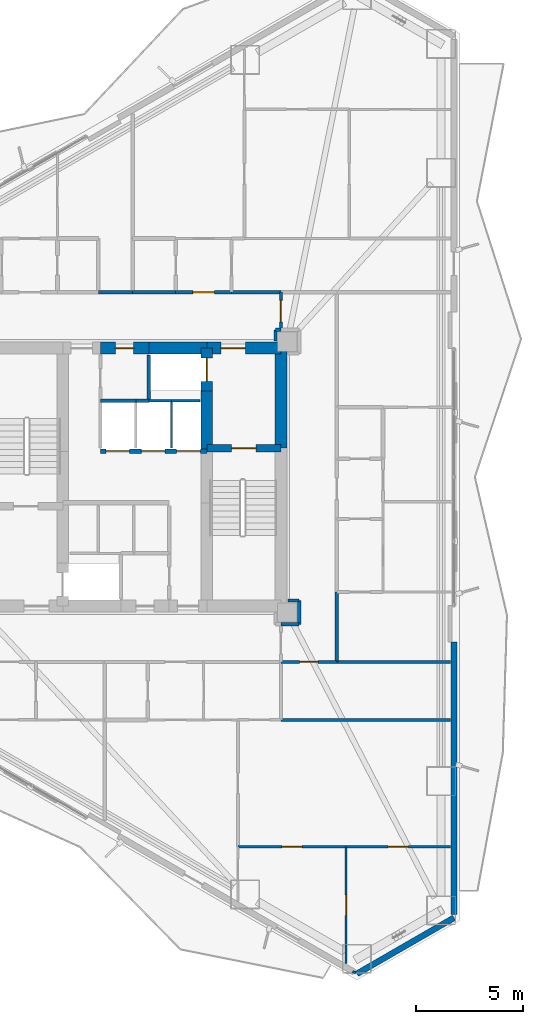
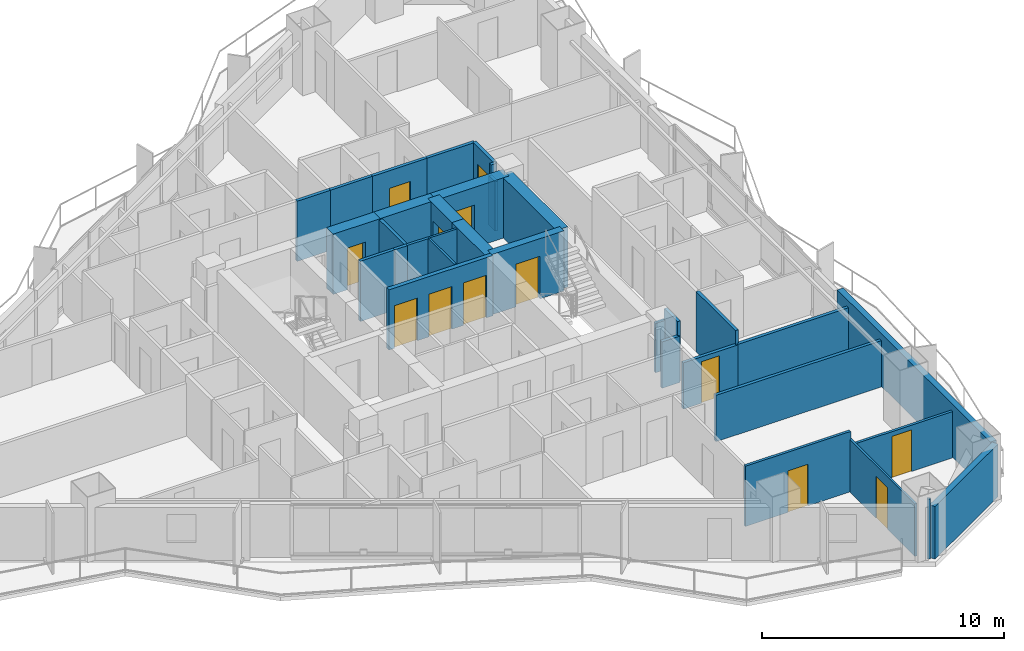
# One storey, part 14 of 18: 34 walls, 13 doors, 13 openings.
"""IFC4 building model written with IfcOpenShell, lengths in metres."""

from ifc_helpers import new_model, si_unit, direction, frame, frame_2d, origin, place, context, subcontext, project, spatial, rectangle, extrude, material, layer, layer_set, type_object, element, fill, save


model = new_model("IFC4")

# Units and contexts
model_context = context("Model", 3, precision=1e-05, world=origin(), true_north=direction((0.0, 1.0)))
body_context = subcontext(model_context, "Body", "Model", "MODEL_VIEW")
ifc_project = project(units=[si_unit("LENGTHUNIT", "METRE"), si_unit("AREAUNIT", "SQUARE_METRE"), si_unit("VOLUMEUNIT", "CUBIC_METRE"), si_unit("PLANEANGLEUNIT", "RADIAN"), si_unit("MASSUNIT", "GRAM", prefix="KILO")], contexts=[model_context])

# Site, building, storey
site_placement = place(None, origin())
site = spatial("IfcSite", under=ifc_project, at=site_placement, CompositionType="ELEMENT")
building_placement = place(site_placement, origin())
building = spatial("IfcBuilding", under=site, at=building_placement, Name="Mersakhor Tower and Convention Hall", CompositionType="ELEMENT")
storey_placement = place(building_placement, frame((0.0, 0.0, 35.699951171875)))
storey = spatial("IfcBuildingStorey", under=building, at=storey_placement, Name="L09", CompositionType="ELEMENT", Elevation=35.699951171875)

# Walls
ifc_material_1 = material(Name="Precast concrete C45/55", Category="concrete")
ifc_layer_1 = layer(ifc_material_1, 0.27490234375)
ifc_layer_set_1 = layer_set([ifc_layer_1], Name="Precast concrete C45/55")
wall_type_1 = type_object("IfcWallType", Name="WL-EXT-275", PredefinedType="SOLIDWALL", material=ifc_layer_set_1)
wall_1_placement = place(storey_placement, frame((43.85009765625, 6.240234375, 0.0), z_axis=(0.0, 0.0, 1.0), x_axis=(-0.866043601342, -0.499968479581, 0.0)))
element("IfcWall", 1, at=wall_1_placement, inside=storey, type_object=wall_type_1, Name="L09 Chamfer Braced Spandrel Wall C2", PredefinedType="SOLIDWALL", context=body_context, shape_type="SweptSolid", body=[
    extrude(rectangle(XDim=5.211181640625, YDim=0.27490234375, at=frame_2d((2.60546875, 0.0))), origin(), (0.0, 0.0, 1.0), 2.66015625),
])
wall_2_placement = place(storey_placement, frame((43.85009765625, 19.0634765625, 0.0), z_axis=(0.0, 0.0, 1.0), x_axis=(0.0, -1.0, 0.0)))
element("IfcWall", 2, at=wall_2_placement, inside=storey, type_object=wall_type_1, Name="L09 Exterior Facade Wall F2-B3", PredefinedType="SOLIDWALL", context=body_context, shape_type="SweptSolid", body=[
    extrude(rectangle(XDim=12.673095703125, YDim=0.27490234375, at=frame_2d((6.33642578125, 0.0))), origin(), (0.0, 0.0, 1.0), 2.66015625),
])
ifc_material_2 = material(Name="Lightweight gypsum partition", Category="other")
ifc_layer_2 = layer(ifc_material_2, 0.10009765625)
ifc_layer_set_2 = layer_set([ifc_layer_2], Name="Lightweight gypsum partition")
wall_type_2 = type_object("IfcWallType", Name="WL-PRT-100", PredefinedType="PARTITIONING", material=ifc_layer_set_2)
wall_3_placement = place(storey_placement, frame((32.02490234375, 30.300048828125, 0.0), z_axis=(0.0, 0.0, 1.0), x_axis=(-1.0, 0.0, 0.0)))
element("IfcWall", 3, at=wall_3_placement, inside=storey, type_object=wall_type_2, Name="L09 Interior Partition Wall P-004", PredefinedType="PARTITIONING", context=body_context, shape_type="SweptSolid", body=[
    extrude(rectangle(XDim=1.324951171875, YDim=0.10009765625, at=frame_2d((0.66259765625, 0.0))), origin(), (0.0, 0.0, 1.0), 3.0400390625),
])
wall_4_placement = place(storey_placement, frame((30.699951171875, 30.300048828125, 0.0), z_axis=(0.0, 0.0, 1.0), x_axis=(0.0, -1.0, 0.0)))
element("IfcWall", 4, at=wall_4_placement, inside=storey, type_object=wall_type_2, Name="L09 Interior Partition Wall P-016", PredefinedType="PARTITIONING", context=body_context, shape_type="SweptSolid", body=[
    extrude(rectangle(XDim=2.199951171875, YDim=0.10009765625, at=frame_2d((1.10009765625, 0.0))), origin(), (0.0, 0.0, 1.0), 3.0400390625),
])

# Wall, opening, door
wall_5_placement = place(storey_placement, frame((38.830078125, 9.5400390625, 0.0), z_axis=(0.0, 0.0, 1.0), x_axis=(0.0, -1.0, 0.0)))
wall_5 = element("IfcWall", 5, at=wall_5_placement, inside=storey, type_object=wall_type_2, Name="L09 Interior Partition Wall P-136", PredefinedType="PARTITIONING", context=body_context, shape_type="SweptSolid", body=[
    extrude(rectangle(XDim=5.42626953125, YDim=0.10009765625, at=frame_2d((2.713134765625, 0.0))), origin(), (0.0, 0.0, 1.0), 2.650390625),
])
opening_1_placement = place(wall_5_placement, frame((2.238037109375, 0.0, 0.0)))
opening_1 = element("IfcOpeningElement", 6, at=opening_1_placement, cuts=wall_5, Name="Opening RD-01", PredefinedType="OPENING", context=body_context, shape_type="SweptSolid", body=[
    extrude(rectangle(XDim=0.949951171875, YDim=2.10009765625, at=frame_2d((0.47509765625, 1.050048828125))), frame((0.0, 0.06005859375, 0.0), z_axis=(0.0, -1.0, 0.0), x_axis=(1.0, 0.0, 0.0)), (0.0, 0.0, 1.0), 0.1201171875),
])
ifc_material_3 = material(Name="Solid-core hardwood leaf in painted steel frame", Category="steel")
door_type_1 = type_object("IfcDoorType", Name="DR-INT-RM-095x210", OperationType="NOTDEFINED", PredefinedType="DOOR", material=ifc_material_3)
door_1_placement = place(opening_1_placement, origin())
door_1 = element("IfcDoor", 7, at=door_1_placement, inside=storey, type_object=door_type_1, Name="L09 L09 Flat S4 Bedroom 1 to L09 Flat S4 Study Room Door", OperationType="SINGLE_SWING_LEFT", OverallHeight=2.10009765625, OverallWidth=0.949951171875, PredefinedType="DOOR", context=body_context, shape_type="SweptSolid", body=[
    extrude(rectangle(XDim=0.949951171875, YDim=2.10009765625, at=frame_2d((0.47509765625, 1.050048828125))), frame((0.0, 0.02490234375, 0.0), z_axis=(0.0, -1.0, 0.0), x_axis=(1.0, 0.0, 0.0)), (0.0, 0.0, 1.0), 0.050048828125),
])
fill(opening_1, door_1)

# Walls
wall_6_placement = place(storey_placement, frame((39.2724609375, 3.672119140625, 0.0), z_axis=(0.0, 0.0, 1.0), x_axis=(-0.866442544969, 0.49927679324, 0.0)))
element("IfcWall", 8, at=wall_6_placement, inside=storey, type_object=wall_type_2, Name="L09 Interior Partition Wall P-138", PredefinedType="PARTITIONING", context=body_context, shape_type="SweptSolid", body=[
    extrude(rectangle(XDim=0.142333984375, YDim=0.10009765625, at=frame_2d((0.0712890625, 0.0))), origin(), (0.0, 0.0, 1.0), 3.0400390625),
])
ifc_material_4 = material(Name="Gypsum board acoustic partition", Category="other")
ifc_layer_3 = layer(ifc_material_4, 0.125)
ifc_layer_set_3 = layer_set([ifc_layer_3], Name="Gypsum board acoustic partition")
wall_type_3 = type_object("IfcWallType", Name="WL-PRT-125", PredefinedType="PARTITIONING", material=ifc_layer_set_3)
wall_7_placement = place(storey_placement, frame((30.699951171875, 30.300048828125, 0.0), z_axis=(0.0, 0.0, 1.0), x_axis=(-1.0, 0.0, 0.0)))
element("IfcWall", 9, at=wall_7_placement, inside=storey, type_object=wall_type_3, Name="L09 Interior Partition Wall P-005", PredefinedType="PARTITIONING", context=body_context, shape_type="SweptSolid", body=[
    extrude(rectangle(XDim=1.050048828125, YDim=0.125, at=frame_2d((0.52490234375, 0.0))), origin(), (0.0, 0.0, 1.0), 3.0400390625),
])

# Wall, opening, door
wall_8_placement = place(storey_placement, frame((33.800048828125, 9.5400390625, 0.0), z_axis=(0.0, 0.0, 1.0), x_axis=(1.0, 0.0, 0.0)))
wall_8 = element("IfcWall", 10, at=wall_8_placement, inside=storey, type_object=wall_type_3, Name="L09 Interior Partition Wall P-135", PredefinedType="PARTITIONING", context=body_context, shape_type="SweptSolid", body=[
    extrude(rectangle(XDim=5.030029296875, YDim=0.125, at=frame_2d((2.51513671875, 0.0))), origin(), (0.0, 0.0, 1.0), 3.0400390625),
])
opening_2_placement = place(wall_8_placement, frame((2.0400390625, 0.0, 0.0)))
opening_2 = element("IfcOpeningElement", 11, at=opening_2_placement, cuts=wall_8, Name="Opening RD-01", PredefinedType="OPENING", context=body_context, shape_type="SweptSolid", body=[
    extrude(rectangle(XDim=0.949951171875, YDim=2.10009765625, at=frame_2d((0.47509765625, 1.050048828125))), frame((0.0, 0.072509765625, 0.0), z_axis=(0.0, -1.0, 0.0), x_axis=(1.0, 0.0, 0.0)), (0.0, 0.0, 1.0), 0.14501953125),
])
door_2_placement = place(opening_2_placement, origin())
door_2 = element("IfcDoor", 12, at=door_2_placement, inside=storey, type_object=door_type_1, Name="L09 L09 Flat S4 Bedroom 1 to L09 Flat S4 Dining Room Door", OperationType="SINGLE_SWING_RIGHT", OverallHeight=2.10009765625, OverallWidth=0.949951171875, PredefinedType="DOOR", context=body_context, shape_type="SweptSolid", body=[
    extrude(rectangle(XDim=0.949951171875, YDim=2.10009765625, at=frame_2d((0.47509765625, 1.050048828125))), frame((0.0, 0.02490234375, 0.0), z_axis=(0.0, -1.0, 0.0), x_axis=(1.0, 0.0, 0.0)), (0.0, 0.0, 1.0), 0.050048828125),
])
fill(opening_2, door_2)

wall_9_placement = place(storey_placement, frame((38.830078125, 9.5400390625, 0.0), z_axis=(0.0, 0.0, 1.0), x_axis=(1.0, 0.0, 0.0)))
wall_9 = element("IfcWall", 13, at=wall_9_placement, inside=storey, type_object=wall_type_3, Name="L09 Interior Partition Wall P-137", PredefinedType="PARTITIONING", context=body_context, shape_type="SweptSolid", body=[
    extrude(rectangle(XDim=4.8583984375, YDim=0.125, at=frame_2d((2.42919921875, 0.0))), origin(), (0.0, 0.0, 1.0), 2.337646484375),
])
opening_3_placement = place(wall_9_placement, frame((1.9541015625, 0.0, 0.0)))
opening_3 = element("IfcOpeningElement", 14, at=opening_3_placement, cuts=wall_9, Name="Opening RD-01", PredefinedType="OPENING", context=body_context, shape_type="SweptSolid", body=[
    extrude(rectangle(XDim=0.949951171875, YDim=2.10009765625, at=frame_2d((0.47509765625, 1.050048828125))), frame((0.0, 0.072509765625, 0.0), z_axis=(0.0, -1.0, 0.0), x_axis=(1.0, 0.0, 0.0)), (0.0, 0.0, 1.0), 0.14501953125),
])
door_3_placement = place(opening_3_placement, origin())
door_3 = element("IfcDoor", 15, at=door_3_placement, inside=storey, type_object=door_type_1, Name="L09 L09 Flat S4 Study Room to L09 Flat S4 Dining Room Door", OperationType="SINGLE_SWING_LEFT", OverallHeight=2.10009765625, OverallWidth=0.949951171875, PredefinedType="DOOR", context=body_context, shape_type="SweptSolid", body=[
    extrude(rectangle(XDim=0.949951171875, YDim=2.10009765625, at=frame_2d((0.47509765625, 1.050048828125))), frame((0.0, 0.02490234375, 0.0), z_axis=(0.0, -1.0, 0.0), x_axis=(1.0, 0.0, 0.0)), (0.0, 0.0, 1.0), 0.050048828125),
])
fill(opening_3, door_3)

# Walls
ifc_material_5 = material(Name="Fire-rated gypsum board stud partition", Category="other")
ifc_layer_4 = layer(ifc_material_5, 0.14990234375)
ifc_layer_set_4 = layer_set([ifc_layer_4], Name="Fire-rated gypsum board stud partition")
wall_type_4 = type_object("IfcWallType", Name="WL-PRT-150", PredefinedType="PARTITIONING", material=ifc_layer_set_4)
wall_10_placement = place(storey_placement, frame((29.64990234375, 30.300048828125, 0.0), z_axis=(0.0, 0.0, 1.0), x_axis=(0.0, 1.0, 0.0)))
element("IfcWall", 16, at=wall_10_placement, inside=storey, type_object=wall_type_4, Name="L09 Interior Partition Wall P-006", PredefinedType="PARTITIONING", context=body_context, shape_type="SweptSolid", body=[
    extrude(rectangle(XDim=2.125, YDim=0.14990234375, at=frame_2d((1.0625, 0.0))), origin(), (0.0, 0.0, 1.0), 3.0400390625),
])
wall_11_placement = place(storey_placement, frame((27.39990234375, 30.300048828125, 0.0), z_axis=(0.0, 0.0, 1.0), x_axis=(1.0, 0.0, 0.0)))
element("IfcWall", 17, at=wall_11_placement, inside=storey, type_object=wall_type_4, Name="L09 Interior Partition Wall P-012", PredefinedType="PARTITIONING", context=body_context, shape_type="SweptSolid", body=[
    extrude(rectangle(XDim=1.650146484375, YDim=0.14990234375, at=frame_2d((0.8251953125, 0.0))), origin(), (0.0, 0.0, 1.0), 3.0400390625),
])
wall_12_placement = place(storey_placement, frame((29.050048828125, 30.300048828125, 0.0), z_axis=(0.0, 0.0, 1.0), x_axis=(1.0, 0.0, 0.0)))
element("IfcWall", 18, at=wall_12_placement, inside=storey, type_object=wall_type_4, Name="L09 Interior Partition Wall P-015", PredefinedType="PARTITIONING", context=body_context, shape_type="SweptSolid", body=[
    extrude(rectangle(XDim=0.599853515625, YDim=0.14990234375, at=frame_2d((0.2998046875, 0.0))), origin(), (0.0, 0.0, 1.0), 3.0400390625),
])
wall_13_placement = place(storey_placement, frame((27.300048828125, 35.35009765625, 0.0), z_axis=(0.0, 0.0, 1.0), x_axis=(1.0, 0.0, 0.0)))
element("IfcWall", 19, at=wall_13_placement, inside=storey, type_object=wall_type_4, Name="L09 Interior Partition Wall P-041", PredefinedType="PARTITIONING", context=body_context, shape_type="SweptSolid", body=[
    extrude(rectangle(XDim=1.599853515625, YDim=0.14990234375, at=frame_2d((0.7998046875, 0.0))), origin(), (0.0, 0.0, 1.0), 3.0400390625),
])
wall_14_placement = place(storey_placement, frame((28.89990234375, 35.35009765625, 0.0), z_axis=(0.0, 0.0, 1.0), x_axis=(1.0, 0.0, 0.0)))
element("IfcWall", 20, at=wall_14_placement, inside=storey, type_object=wall_type_4, Name="L09 Interior Partition Wall P-042", PredefinedType="PARTITIONING", context=body_context, shape_type="SweptSolid", body=[
    extrude(rectangle(XDim=2.0, YDim=0.14990234375, at=frame_2d((1.0, 0.0))), origin(), (0.0, 0.0, 1.0), 3.0400390625),
])

# Wall, opening, door
wall_15_placement = place(storey_placement, frame((30.89990234375, 35.35009765625, 0.0), z_axis=(0.0, 0.0, 1.0), x_axis=(1.0, 0.0, 0.0)))
wall_15 = element("IfcWall", 21, at=wall_15_placement, inside=storey, type_object=wall_type_4, Name="L09 Interior Partition Wall P-043", PredefinedType="PARTITIONING", context=body_context, shape_type="SweptSolid", body=[
    extrude(rectangle(XDim=2.60009765625, YDim=0.14990234375, at=frame_2d((1.300048828125, 0.0))), origin(), (0.0, 0.0, 1.0), 3.0400390625),
])
opening_4_placement = place(wall_15_placement, frame((0.800048828125, 0.0, 0.0)))
opening_4 = element("IfcOpeningElement", 22, at=opening_4_placement, cuts=wall_15, Name="Opening FD-01", PredefinedType="OPENING", context=body_context, shape_type="SweptSolid", body=[
    extrude(rectangle(XDim=1.0, YDim=2.14990234375, at=frame_2d((0.5, 1.074951171875))), frame((0.0, 0.0849609375, 0.0), z_axis=(0.0, -1.0, 0.0), x_axis=(1.0, 0.0, 0.0)), (0.0, 0.0, 1.0), 0.169921875),
])
ifc_material_6 = material(Name="Fire-rated hardwood leaf and painted steel frame", Category="steel")
door_type_2 = type_object("IfcDoorType", Name="DR-INT-FLT-100x215", OperationType="NOTDEFINED", PredefinedType="DOOR", material=ifc_material_6)
door_4_placement = place(opening_4_placement, origin())
door_4 = element("IfcDoor", 23, at=door_4_placement, inside=storey, type_object=door_type_2, Name="L09 Apartment Entrance Door (Residential Ring Corridor to L09 Flat N2 Apartment Hall)", OperationType="SINGLE_SWING_LEFT", OverallHeight=2.14990234375, OverallWidth=1.0, PredefinedType="DOOR", context=body_context, shape_type="SweptSolid", body=[
    extrude(rectangle(XDim=1.0, YDim=2.14990234375, at=frame_2d((0.5, 1.074951171875))), frame((0.0, 0.02490234375, 0.0), z_axis=(0.0, -1.0, 0.0), x_axis=(1.0, 0.0, 0.0)), (0.0, 0.0, 1.0), 0.050048828125),
])
fill(opening_4, door_4)

# Wall
wall_16_placement = place(storey_placement, frame((33.5, 35.35009765625, 0.0), z_axis=(0.0, 0.0, 1.0), x_axis=(1.0, 0.0, 0.0)))
element("IfcWall", 24, at=wall_16_placement, inside=storey, type_object=wall_type_4, Name="L09 Interior Partition Wall P-044", PredefinedType="PARTITIONING", context=body_context, shape_type="SweptSolid", body=[
    extrude(rectangle(XDim=2.300048828125, YDim=0.14990234375, at=frame_2d((1.14990234375, 0.0))), origin(), (0.0, 0.0, 1.0), 3.0400390625),
])

# Wall, opening, door
wall_17_placement = place(storey_placement, frame((35.800048828125, 35.35009765625, 0.0), z_axis=(0.0, 0.0, 1.0), x_axis=(0.0, -1.0, 0.0)))
wall_17 = element("IfcWall", 25, at=wall_17_placement, inside=storey, type_object=wall_type_4, Name="L09 Interior Partition Wall P-045", PredefinedType="PARTITIONING", context=body_context, shape_type="SweptSolid", body=[
    extrude(rectangle(XDim=1.75, YDim=0.14990234375, at=frame_2d((0.875, 0.0))), origin(), (0.0, 0.0, 1.0), 3.0400390625),
])
opening_5_placement = place(wall_17_placement, frame((0.375, 0.0, 0.0)))
opening_5 = element("IfcOpeningElement", 26, at=opening_5_placement, cuts=wall_17, Name="Opening FD-01", PredefinedType="OPENING", context=body_context, shape_type="SweptSolid", body=[
    extrude(rectangle(XDim=1.0, YDim=2.14990234375, at=frame_2d((0.5, 1.074951171875))), frame((0.0, 0.0849609375, 0.0), z_axis=(0.0, -1.0, 0.0), x_axis=(1.0, 0.0, 0.0)), (0.0, 0.0, 1.0), 0.169921875),
])
door_5_placement = place(opening_5_placement, origin())
door_5 = element("IfcDoor", 27, at=door_5_placement, inside=storey, type_object=door_type_2, Name="L09 Ring Corridor Fire Door", OperationType="SINGLE_SWING_LEFT", OverallHeight=2.14990234375, OverallWidth=1.0, PredefinedType="DOOR", context=body_context, shape_type="SweptSolid", body=[
    extrude(rectangle(XDim=1.0, YDim=2.14990234375, at=frame_2d((0.5, 1.074951171875))), frame((0.0, 0.02490234375, 0.0), z_axis=(0.0, -1.0, 0.0), x_axis=(1.0, 0.0, 0.0)), (0.0, 0.0, 1.0), 0.050048828125),
])
fill(opening_5, door_5)

# Walls
wall_18_placement = place(storey_placement, frame((35.800048828125, 33.60009765625, 0.0), z_axis=(0.0, 0.0, 1.0), x_axis=(-1.0, 0.0, 0.0)))
element("IfcWall", 28, at=wall_18_placement, inside=storey, type_object=wall_type_4, Name="L09 Interior Partition Wall P-046", PredefinedType="PARTITIONING", context=body_context, shape_type="SweptSolid", body=[
    extrude(rectangle(XDim=0.25, YDim=0.14990234375, at=frame_2d((0.125, 0.0))), origin(), (0.0, 0.0, 1.0), 3.0400390625),
])
wall_19_placement = place(storey_placement, frame((35.550048828125, 33.60009765625, 0.0), z_axis=(0.0, 0.0, 1.0), x_axis=(0.0, -1.0, 0.0)))
element("IfcWall", 29, at=wall_19_placement, inside=storey, type_object=wall_type_4, Name="L09 Interior Partition Wall P-047", PredefinedType="PARTITIONING", context=body_context, shape_type="SweptSolid", body=[
    extrude(rectangle(XDim=0.525146484375, YDim=0.14990234375, at=frame_2d((0.2626953125, 0.0))), origin(), (0.0, 0.0, 1.0), 2.48828125),
])
wall_20_placement = place(storey_placement, frame((36.64990234375, 21.0, 0.0), z_axis=(0.0, 0.0, 1.0), x_axis=(-1.0, 0.0, 0.0)))
element("IfcWall", 30, at=wall_20_placement, inside=storey, type_object=wall_type_4, Name="L09 Interior Partition Wall P-054", PredefinedType="PARTITIONING", context=body_context, shape_type="SweptSolid", body=[
    extrude(rectangle(XDim=0.52490234375, YDim=0.14990234375, at=frame_2d((0.262451171875, 0.0))), origin(), (0.0, 0.0, 1.0), 2.48828125),
])
wall_21_placement = place(storey_placement, frame((38.39990234375, 21.39990234375, 0.0), z_axis=(0.0, 0.0, 1.0), x_axis=(0.0, -1.0, 0.0)))
element("IfcWall", 31, at=wall_21_placement, inside=storey, type_object=wall_type_4, Name="L09 Interior Partition Wall P-063", PredefinedType="PARTITIONING", context=body_context, shape_type="SweptSolid", body=[
    extrude(rectangle(XDim=3.25, YDim=0.14990234375, at=frame_2d((1.625, 0.0))), origin(), (0.0, 0.0, 1.0), 3.0400390625),
])

# Wall, opening, door
wall_22_placement = place(storey_placement, frame((38.39990234375, 18.14990234375, 0.0), z_axis=(0.0, 0.0, 1.0), x_axis=(-1.0, 0.0, 0.0)))
wall_22 = element("IfcWall", 32, at=wall_22_placement, inside=storey, type_object=wall_type_4, Name="L09 Interior Partition Wall P-064", PredefinedType="PARTITIONING", context=body_context, shape_type="SweptSolid", body=[
    extrude(rectangle(XDim=2.599853515625, YDim=0.14990234375, at=frame_2d((1.2998046875, 0.0))), origin(), (0.0, 0.0, 1.0), 2.337646484375),
])
opening_6_placement = place(wall_22_placement, frame((0.875, 0.0, 0.0)))
opening_6 = element("IfcOpeningElement", 33, at=opening_6_placement, cuts=wall_22, Name="Opening SVD-01", PredefinedType="OPENING", context=body_context, shape_type="SweptSolid", body=[
    extrude(rectangle(XDim=0.85009765625, YDim=2.10009765625, at=frame_2d((0.425048828125, 1.050048828125))), frame((0.0, 0.0849609375, 0.0), z_axis=(0.0, -1.0, 0.0), x_axis=(1.0, 0.0, 0.0)), (0.0, 0.0, 1.0), 0.169921875),
])
ifc_material_7 = material(Name="Fire-rated hardwood leaf and painted steel frame", Category="steel")
door_type_3 = type_object("IfcDoorType", Name="DR-INT-SVC-085x210", OperationType="NOTDEFINED", PredefinedType="DOOR", material=ifc_material_7)
door_6_placement = place(opening_6_placement, origin())
door_6 = element("IfcDoor", 34, at=door_6_placement, inside=storey, type_object=door_type_3, Name="L09 Residential Ring East Corridor to L09 South Wing Household Store Room Door", OperationType="SINGLE_SWING_LEFT", OverallHeight=2.10009765625, OverallWidth=0.85009765625, PredefinedType="DOOR", context=body_context, shape_type="SweptSolid", body=[
    extrude(rectangle(XDim=0.85009765625, YDim=2.10009765625, at=frame_2d((0.425048828125, 1.050048828125))), frame((0.0, 0.02490234375, 0.0), z_axis=(0.0, -1.0, 0.0), x_axis=(1.0, 0.0, 0.0)), (0.0, 0.0, 1.0), 0.050048828125),
])
fill(opening_6, door_6)

# Walls
wall_23_placement = place(storey_placement, frame((35.800048828125, 19.89990234375, 0.0), z_axis=(0.0, 0.0, 1.0), x_axis=(1.0, 0.0, 0.0)))
element("IfcWall", 35, at=wall_23_placement, inside=storey, type_object=wall_type_4, Name="L09 Interior Partition Wall P-065", PredefinedType="PARTITIONING", context=body_context, shape_type="SweptSolid", body=[
    extrude(rectangle(XDim=0.849853515625, YDim=0.14990234375, at=frame_2d((0.4248046875, 0.0))), origin(), (0.0, 0.0, 1.0), 2.337646484375),
])
wall_24_placement = place(storey_placement, frame((36.64990234375, 19.89990234375, 0.0), z_axis=(0.0, 0.0, 1.0), x_axis=(0.0, 1.0, 0.0)))
element("IfcWall", 36, at=wall_24_placement, inside=storey, type_object=wall_type_4, Name="L09 Interior Partition Wall P-066", PredefinedType="PARTITIONING", context=body_context, shape_type="SweptSolid", body=[
    extrude(rectangle(XDim=1.10009765625, YDim=0.14990234375, at=frame_2d((0.550048828125, 0.0))), origin(), (0.0, 0.0, 1.0), 3.0400390625),
])
wall_25_placement = place(storey_placement, frame((43.6884765625, 18.14990234375, 0.0), z_axis=(0.0, 0.0, 1.0), x_axis=(-1.0, 0.0, 0.0)))
element("IfcWall", 37, at=wall_25_placement, inside=storey, type_object=wall_type_4, Name="L09 Interior Partition Wall P-121", PredefinedType="PARTITIONING", context=body_context, shape_type="SweptSolid", body=[
    extrude(rectangle(XDim=5.28857421875, YDim=0.14990234375, at=frame_2d((2.644287109375, 0.0))), origin(), (0.0, 0.0, 1.0), 2.364990234375),
])
wall_26_placement = place(storey_placement, frame((43.6884765625, 15.449951171875, 0.0), z_axis=(0.0, 0.0, 1.0), x_axis=(-1.0, 0.0, 0.0)))
element("IfcWall", 38, at=wall_26_placement, inside=storey, type_object=wall_type_4, Name="L09 Interior Partition Wall P-122", PredefinedType="PARTITIONING", context=body_context, shape_type="SweptSolid", body=[
    extrude(rectangle(XDim=7.888427734375, YDim=0.14990234375, at=frame_2d((3.9443359375, 0.0))), origin(), (0.0, 0.0, 1.0), 2.337646484375),
])

# Wall, openings, doors
ifc_material_8 = material(Name="Acoustic concrete blockwork and gypsum board", Category="masonry")
ifc_layer_5 = layer(ifc_material_8, 0.199951171875)
ifc_layer_set_5 = layer_set([ifc_layer_5], Name="Acoustic concrete blockwork and gypsum board")
wall_type_5 = type_object("IfcWallType", Name="WL-PRT-200", PredefinedType="PARTITIONING", material=ifc_layer_set_5)
wall_27_placement = place(storey_placement, frame((27.39990234375, 27.949951171875, 0.0), z_axis=(0.0, 0.0, 1.0), x_axis=(1.0, 0.0, 0.0)))
wall_27 = element("IfcWall", 39, at=wall_27_placement, inside=storey, type_object=wall_type_5, Name="L09 Low-Rise Lift Bank Front Wall", PredefinedType="PARTITIONING", context=body_context, shape_type="SweptSolid", body=[
    extrude(rectangle(XDim=4.9501953125, YDim=0.199951171875, at=frame_2d((2.47509765625, 0.0))), origin(), (0.0, 0.0, 1.0), 3.0400390625),
])
opening_7_placement = place(wall_27_placement, frame((0.25, 0.0, 0.0)))
opening_7 = element("IfcOpeningElement", 40, at=opening_7_placement, cuts=wall_27, Name="Opening LD-P1", PredefinedType="OPENING", context=body_context, shape_type="SweptSolid", body=[
    extrude(rectangle(XDim=1.10009765625, YDim=2.14990234375, at=frame_2d((0.550048828125, 1.074951171875))), frame((0.0, 0.10986328125, 0.0), z_axis=(0.0, -1.0, 0.0), x_axis=(1.0, 0.0, 0.0)), (0.0, 0.0, 1.0), 0.219970703125),
])
opening_8_placement = place(wall_27_placement, frame((1.89990234375, 0.0, 0.0)))
opening_8 = element("IfcOpeningElement", 41, at=opening_8_placement, cuts=wall_27, Name="Opening LD-P2", PredefinedType="OPENING", context=body_context, shape_type="SweptSolid", body=[
    extrude(rectangle(XDim=1.10009765625, YDim=2.14990234375, at=frame_2d((0.550048828125, 1.074951171875))), frame((0.0, 0.10986328125, 0.0), z_axis=(0.0, -1.0, 0.0), x_axis=(1.0, 0.0, 0.0)), (0.0, 0.0, 1.0), 0.219970703125),
])
opening_9_placement = place(wall_27_placement, frame((3.550048828125, 0.0, 0.0)))
opening_9 = element("IfcOpeningElement", 42, at=opening_9_placement, cuts=wall_27, Name="Opening LD-P3", PredefinedType="OPENING", context=body_context, shape_type="SweptSolid", body=[
    extrude(rectangle(XDim=1.10009765625, YDim=2.14990234375, at=frame_2d((0.550048828125, 1.074951171875))), frame((0.0, 0.10986328125, 0.0), z_axis=(0.0, -1.0, 0.0), x_axis=(1.0, 0.0, 0.0)), (0.0, 0.0, 1.0), 0.219970703125),
])
ifc_material_9 = material(Name="Fire-rated brushed stainless steel sliding landing door", Category="steel")
door_type_4 = type_object("IfcDoorType", Name="DR-LIFT-SLD-110x215", OperationType="NOTDEFINED", PredefinedType="DOOR", material=ifc_material_9)
door_7_placement = place(opening_7_placement, origin())
door_7 = element("IfcDoor", 43, at=door_7_placement, inside=storey, type_object=door_type_4, Name="L09 Lift Landing Door LD-P1", OperationType="SLIDING_TO_LEFT", OverallHeight=2.14990234375, OverallWidth=1.10009765625, PredefinedType="DOOR", context=body_context, shape_type="SweptSolid", body=[
    extrude(rectangle(XDim=1.10009765625, YDim=2.14990234375, at=frame_2d((0.550048828125, 1.074951171875))), frame((0.0, 0.02490234375, 0.0), z_axis=(0.0, -1.0, 0.0), x_axis=(1.0, 0.0, 0.0)), (0.0, 0.0, 1.0), 0.050048828125),
])
fill(opening_7, door_7)
door_8_placement = place(opening_8_placement, origin())
door_8 = element("IfcDoor", 44, at=door_8_placement, inside=storey, type_object=door_type_4, Name="L09 Lift Landing Door LD-P2", OperationType="SLIDING_TO_LEFT", OverallHeight=2.14990234375, OverallWidth=1.10009765625, PredefinedType="DOOR", context=body_context, shape_type="SweptSolid", body=[
    extrude(rectangle(XDim=1.10009765625, YDim=2.14990234375, at=frame_2d((0.550048828125, 1.074951171875))), frame((0.0, 0.02490234375, 0.0), z_axis=(0.0, -1.0, 0.0), x_axis=(1.0, 0.0, 0.0)), (0.0, 0.0, 1.0), 0.050048828125),
])
fill(opening_8, door_8)
door_9_placement = place(opening_9_placement, origin())
door_9 = element("IfcDoor", 45, at=door_9_placement, inside=storey, type_object=door_type_4, Name="L09 Lift Landing Door LD-P3", OperationType="SLIDING_TO_LEFT", OverallHeight=2.14990234375, OverallWidth=1.10009765625, PredefinedType="DOOR", context=body_context, shape_type="SweptSolid", body=[
    extrude(rectangle(XDim=1.10009765625, YDim=2.14990234375, at=frame_2d((0.550048828125, 1.074951171875))), frame((0.0, 0.02490234375, 0.0), z_axis=(0.0, -1.0, 0.0), x_axis=(1.0, 0.0, 0.0)), (0.0, 0.0, 1.0), 0.050048828125),
])
fill(opening_9, door_9)

# Wall, opening, door
ifc_material_10 = material(Name="Concrete C50/60", Category="concrete")
ifc_layer_6 = layer(ifc_material_10, 0.35009765625)
ifc_layer_set_6 = layer_set([ifc_layer_6], Name="Concrete C50/60")
wall_type_6 = type_object("IfcWallType", Name="WL-SHR-350", PredefinedType="SHEAR", material=ifc_layer_set_6)
wall_28_placement = place(storey_placement, frame((32.35009765625, 28.10009765625, 0.0), z_axis=(0.0, 0.0, 1.0), x_axis=(1.0, 0.0, 0.0)))
wall_28 = element("IfcWall", 46, at=wall_28_placement, inside=storey, type_object=wall_type_6, Name="L09 Core Wall CS-ST2-N", PredefinedType="SHEAR", context=body_context, shape_type="SweptSolid", body=[
    extrude(rectangle(XDim=3.449951171875, YDim=0.35009765625, at=frame_2d((1.72509765625, 0.0))), origin(), (0.0, 0.0, 1.0), 3.0400390625),
])
opening_10_placement = place(wall_28_placement, frame((1.14990234375, 0.0, 0.0)))
opening_10 = element("IfcOpeningElement", 47, at=opening_10_placement, cuts=wall_28, Name="Opening SD-01", PredefinedType="OPENING", context=body_context, shape_type="SweptSolid", body=[
    extrude(rectangle(XDim=1.14990234375, YDim=2.14990234375, at=frame_2d((0.574951171875, 1.074951171875))), frame((0.0, 0.18505859375, 0.0), z_axis=(0.0, -1.0, 0.0), x_axis=(1.0, 0.0, 0.0)), (0.0, 0.0, 1.0), 0.3701171875),
])
ifc_material_11 = material(Name="Fire-rated hardwood leaf and painted steel frame", Category="steel")
door_type_5 = type_object("IfcDoorType", Name="DR-INT-STAIR-115x215", OperationType="NOTDEFINED", PredefinedType="DOOR", material=ifc_material_11)
door_10_placement = place(opening_10_placement, origin())
door_10 = element("IfcDoor", 48, at=door_10_placement, inside=storey, type_object=door_type_5, Name="L09 Exit Stair ST-2 Enclosure Door", OperationType="SINGLE_SWING_RIGHT", OverallHeight=2.14990234375, OverallWidth=1.14990234375, PredefinedType="DOOR", context=body_context, shape_type="SweptSolid", body=[
    extrude(rectangle(XDim=1.14990234375, YDim=2.14990234375, at=frame_2d((0.574951171875, 1.074951171875))), frame((0.0, 0.02490234375, 0.0), z_axis=(0.0, -1.0, 0.0), x_axis=(1.0, 0.0, 0.0)), (0.0, 0.0, 1.0), 0.050048828125),
])
fill(opening_10, door_10)

ifc_material_12 = material(Name="Concrete C70/85", Category="concrete")
ifc_layer_7 = layer(ifc_material_12, 0.550048828125)
ifc_layer_set_7 = layer_set([ifc_layer_7], Name="Concrete C70/85")
wall_type_7 = type_object("IfcWallType", Name="WL-SHR-550", PredefinedType="SHEAR", material=ifc_layer_set_7)
wall_29_placement = place(storey_placement, frame((27.39990234375, 32.75, 0.0), z_axis=(0.0, 0.0, 1.0), x_axis=(1.0, 0.0, 0.0)))
wall_29 = element("IfcWall", 49, at=wall_29_placement, inside=storey, type_object=wall_type_7, Name="L09 Core Wall CW-N2B", PredefinedType="SHEAR", context=body_context, shape_type="SweptSolid", body=[
    extrude(rectangle(XDim=2.25, YDim=0.550048828125, at=frame_2d((1.125, 0.0))), origin(), (0.0, 0.0, 1.0), 3.0400390625),
])
opening_11_placement = place(wall_29_placement, frame((0.699951171875, 0.0, 0.0)))
opening_11 = element("IfcOpeningElement", 50, at=opening_11_placement, cuts=wall_29, Name="Opening SVD-01", PredefinedType="OPENING", context=body_context, shape_type="SweptSolid", body=[
    extrude(rectangle(XDim=0.85009765625, YDim=2.10009765625, at=frame_2d((0.425048828125, 1.050048828125))), frame((0.0, 0.284912109375, 0.0), z_axis=(0.0, -1.0, 0.0), x_axis=(1.0, 0.0, 0.0)), (0.0, 0.0, 1.0), 0.570068359375),
])
door_11_placement = place(opening_11_placement, origin())
door_11 = element("IfcDoor", 51, at=door_11_placement, inside=storey, type_object=door_type_3, Name="L09 Residential Ring Corridor to Telecoms and BMS Riser Room Door", OperationType="SINGLE_SWING_LEFT", OverallHeight=2.10009765625, OverallWidth=0.85009765625, PredefinedType="DOOR", context=body_context, shape_type="SweptSolid", body=[
    extrude(rectangle(XDim=0.85009765625, YDim=2.10009765625, at=frame_2d((0.425048828125, 1.050048828125))), frame((0.0, 0.02490234375, 0.0), z_axis=(0.0, -1.0, 0.0), x_axis=(1.0, 0.0, 0.0)), (0.0, 0.0, 1.0), 0.050048828125),
])
fill(opening_11, door_11)

# Wall
wall_30_placement = place(storey_placement, frame((29.64990234375, 32.75, 0.0), z_axis=(0.0, 0.0, 1.0), x_axis=(1.0, 0.0, 0.0)))
element("IfcWall", 52, at=wall_30_placement, inside=storey, type_object=wall_type_7, Name="L09 Core Wall CW-N3", PredefinedType="SHEAR", context=body_context, shape_type="SweptSolid", body=[
    extrude(rectangle(XDim=2.7001953125, YDim=0.550048828125, at=frame_2d((1.35009765625, 0.0))), origin(), (0.0, 0.0, 1.0), 3.0400390625),
])

# Wall, opening, door
wall_31_placement = place(storey_placement, frame((32.35009765625, 32.75, 0.0), z_axis=(0.0, 0.0, 1.0), x_axis=(1.0, 0.0, 0.0)))
wall_31 = element("IfcWall", 53, at=wall_31_placement, inside=storey, type_object=wall_type_7, Name="L09 Core Wall CW-N4", PredefinedType="SHEAR", context=body_context, shape_type="SweptSolid", body=[
    extrude(rectangle(XDim=3.449951171875, YDim=0.550048828125, at=frame_2d((1.72509765625, 0.0))), origin(), (0.0, 0.0, 1.0), 3.0400390625),
])
opening_12_placement = place(wall_31_placement, frame((0.64990234375, 0.0, 0.0)))
opening_12 = element("IfcOpeningElement", 54, at=opening_12_placement, cuts=wall_31, Name="Opening SD-01", PredefinedType="OPENING", context=body_context, shape_type="SweptSolid", body=[
    extrude(rectangle(XDim=1.14990234375, YDim=2.14990234375, at=frame_2d((0.574951171875, 1.074951171875))), frame((0.0, 0.284912109375, 0.0), z_axis=(0.0, -1.0, 0.0), x_axis=(1.0, 0.0, 0.0)), (0.0, 0.0, 1.0), 0.570068359375),
])
door_12_placement = place(opening_12_placement, origin())
door_12 = element("IfcDoor", 55, at=door_12_placement, inside=storey, type_object=door_type_5, Name="L09 Firefighting Lobby East Fire Door", OperationType="SINGLE_SWING_RIGHT", OverallHeight=2.14990234375, OverallWidth=1.14990234375, PredefinedType="DOOR", context=body_context, shape_type="SweptSolid", body=[
    extrude(rectangle(XDim=1.14990234375, YDim=2.14990234375, at=frame_2d((0.574951171875, 1.074951171875))), frame((0.0, 0.02490234375, 0.0), z_axis=(0.0, -1.0, 0.0), x_axis=(1.0, 0.0, 0.0)), (0.0, 0.0, 1.0), 0.050048828125),
])
fill(opening_12, door_12)

# Walls
wall_32_placement = place(storey_placement, frame((35.800048828125, 32.75, 0.0), z_axis=(0.0, 0.0, 1.0), x_axis=(0.0, -1.0, 0.0)))
element("IfcWall", 56, at=wall_32_placement, inside=storey, type_object=wall_type_7, Name="L09 Core Wall CW-E1", PredefinedType="SHEAR", context=body_context, shape_type="SweptSolid", body=[
    extrude(rectangle(XDim=4.64990234375, YDim=0.550048828125, at=frame_2d((2.324951171875, 0.0))), origin(), (0.0, 0.0, 1.0), 3.0400390625),
])
wall_33_placement = place(storey_placement, frame((32.35009765625, 27.949951171875, 0.0), z_axis=(0.0, 0.0, 1.0), x_axis=(0.0, 1.0, 0.0)))
element("IfcWall", 57, at=wall_33_placement, inside=storey, type_object=wall_type_7, Name="L09 Core Wall CS-E-MID", PredefinedType="SHEAR", context=body_context, shape_type="SweptSolid", body=[
    extrude(rectangle(XDim=2.800048828125, YDim=0.550048828125, at=frame_2d((1.39990234375, 0.0))), origin(), (0.0, 0.0, 1.0), 3.0400390625),
])

# Wall, opening, door
wall_34_placement = place(storey_placement, frame((32.35009765625, 30.75, 0.0), z_axis=(0.0, 0.0, 1.0), x_axis=(0.0, 1.0, 0.0)))
wall_34 = element("IfcWall", 58, at=wall_34_placement, inside=storey, type_object=wall_type_7, Name="L09 Core Wall CS-E-FFL", PredefinedType="SHEAR", context=body_context, shape_type="SweptSolid", body=[
    extrude(rectangle(XDim=2.0, YDim=0.550048828125, at=frame_2d((1.0, 0.0))), origin(), (0.0, 0.0, 1.0), 3.0400390625),
])
opening_13_placement = place(wall_34_placement, frame((0.449951171875, 0.0, 0.0)))
opening_13 = element("IfcOpeningElement", 59, at=opening_13_placement, cuts=wall_34, Name="Opening LD-FFL2", PredefinedType="OPENING", context=body_context, shape_type="SweptSolid", body=[
    extrude(rectangle(XDim=1.10009765625, YDim=2.14990234375, at=frame_2d((0.550048828125, 1.074951171875))), frame((0.0, 0.284912109375, 0.0), z_axis=(0.0, -1.0, 0.0), x_axis=(1.0, 0.0, 0.0)), (0.0, 0.0, 1.0), 0.570068359375),
])
door_13_placement = place(opening_13_placement, origin())
door_13 = element("IfcDoor", 60, at=door_13_placement, inside=storey, type_object=door_type_4, Name="L09 Firefighting Lift Landing Door LD-FFL2", OperationType="SLIDING_TO_LEFT", OverallHeight=2.14990234375, OverallWidth=1.10009765625, PredefinedType="DOOR", context=body_context, shape_type="SweptSolid", body=[
    extrude(rectangle(XDim=1.10009765625, YDim=2.14990234375, at=frame_2d((0.550048828125, 1.074951171875))), frame((0.0, 0.02490234375, 0.0), z_axis=(0.0, -1.0, 0.0), x_axis=(1.0, 0.0, 0.0)), (0.0, 0.0, 1.0), 0.050048828125),
])
fill(opening_13, door_13)

save(model, "model.ifc")
